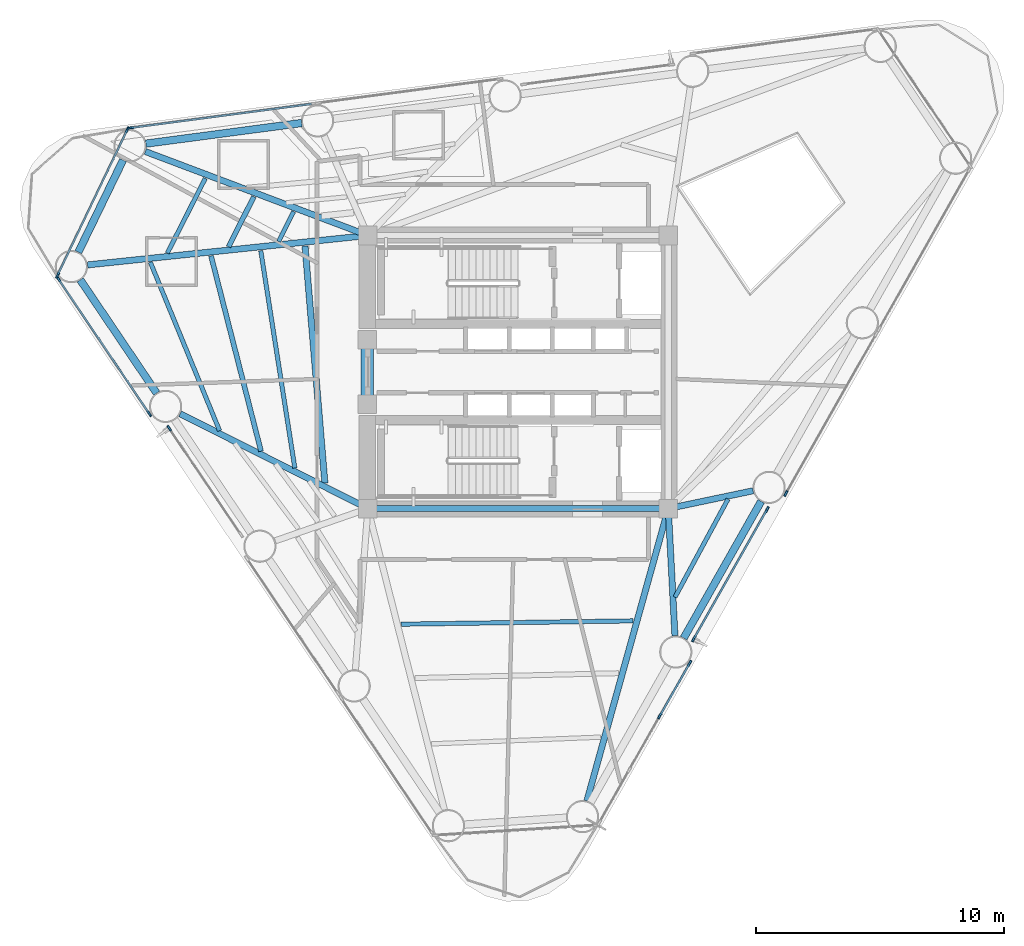
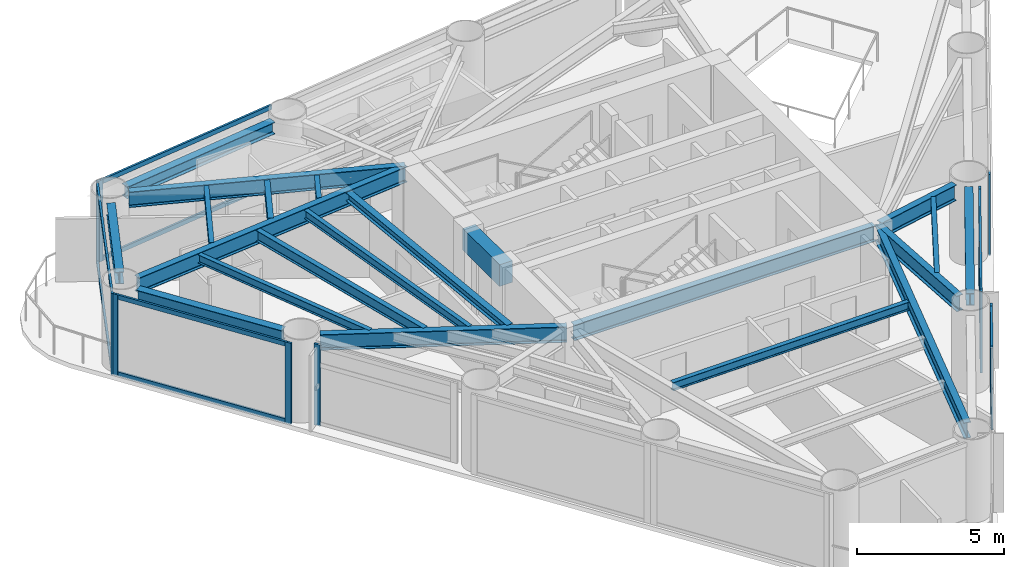
# One storey, part 2 of 9: 23 members, 21 beams, 7 elements without a shape of their own.
"""IFC4 building model written with IfcOpenShell, lengths in metres."""

from ifc_helpers import new_model, si_unit, direction, frame, origin, origin_2d, place, context, subcontext, project, spatial, rectangle, i_section, extrude, source, transform, mapped, material, layer, layer_set, material_profile, profile_set, type_object, element, aggregate, save


model = new_model("IFC4")

# Units and contexts
model_context = context("Model", 3, precision=1e-05, world=origin(), true_north=direction((0.0, 1.0)))
body_context = subcontext(model_context, "Body", "Model", "MODEL_VIEW")
ifc_project = project(units=[si_unit("LENGTHUNIT", "METRE"), si_unit("AREAUNIT", "SQUARE_METRE"), si_unit("VOLUMEUNIT", "CUBIC_METRE"), si_unit("PLANEANGLEUNIT", "RADIAN"), si_unit("MASSUNIT", "GRAM", prefix="KILO")], contexts=[model_context])

# Site, building, storey
site_placement = place(None, origin())
site = spatial("IfcSite", under=ifc_project, at=site_placement, CompositionType="ELEMENT")
building_placement = place(site_placement, origin())
building = spatial("IfcBuilding", under=site, at=building_placement, Name="Yunling Apex Tower", CompositionType="ELEMENT")
storey_placement = place(building_placement, frame((0.0, 0.0, 169.10009765625)))
storey = spatial("IfcBuildingStorey", under=building, at=storey_placement, Name="L41", CompositionType="ELEMENT", Elevation=169.10009765625)

# Beams
ifc_material_1 = material(Name="Concrete C50", Category="concrete")
ifc_material_profile_1 = material_profile(ifc_material_1, rectangle(XDim=0.5, YDim=0.89990234375, at=origin_2d()))
ifc_profile_set_1 = profile_set([ifc_material_profile_1], Name="Concrete C50")
beam_type_1 = type_object("IfcBeamType", Name="BC-CPL-2", PredefinedType="BEAM", material=ifc_profile_set_1)
shared_shape_1 = source(origin(), body_context, "Body", "SweptSolid", [
    extrude(rectangle(XDim=0.5, YDim=0.89990234375, at=origin_2d()), origin(), (0.0, 0.0, 1.0), 2.5),
])
beam_1_placement = place(storey_placement, frame((-6.074951171875, -1.25, 2.81982421875), z_axis=(0.0, 1.0, 0.0), x_axis=(-1.0, 0.0, 0.0)))
element("IfcBeam", 1, at=beam_1_placement, inside=storey, type_object=beam_type_1, Name="L41 Core West Portal Coupling Beam", PredefinedType="BEAM", context=body_context, shape_type="MappedRepresentation", body=[
    mapped(shared_shape_1, transform((0.0, 0.0, 0.0), scale=1.0)),
])
ifc_material_2 = material(Name="Steel Q355B", Category="steel")
ifc_material_profile_2 = material_profile(ifc_material_2, i_section(OverallWidth=0.25, OverallDepth=0.64990234375, WebThickness=0.011962890625, FlangeThickness=0.02001953125, FilletRadius=0.02392578125, at=origin_2d()))
ifc_profile_set_2 = profile_set([ifc_material_profile_2], Name="Steel Q355B")
beam_type_2 = type_object("IfcBeamType", Name="BG-PRI-4", PredefinedType="USERDEFINED", material=ifc_profile_set_2)
shared_shape_2 = source(origin(), body_context, "Body", "SweptSolid", [
    extrude(i_section(OverallWidth=0.25, OverallDepth=0.64990234375, WebThickness=0.011962890625, FlangeThickness=0.02001953125, FilletRadius=0.02392578125, at=origin_2d()), origin(), (0.0, 0.0, 1.0), 11.7998046875),
])
beam_2_placement = place(storey_placement, frame((-5.89990234375, -5.5, 2.94482421875), z_axis=(1.0, 0.0, 0.0), x_axis=(0.0, 1.0, 0.0)))
element("IfcBeam", 2, at=beam_2_placement, inside=storey, type_object=beam_type_2, Name="L41 Core Ring Tie Beam 1", ObjectType="GIRDER", PredefinedType="USERDEFINED", context=body_context, shape_type="MappedRepresentation", body=[
    mapped(shared_shape_2, transform((0.0, 0.0, 0.0), scale=1.0)),
])
ifc_material_profile_3 = material_profile(ifc_material_2, i_section(OverallWidth=0.300048828125, OverallDepth=0.489990234375, WebThickness=0.010986328125, FlangeThickness=0.01806640625, FilletRadius=0.02197265625, at=origin_2d()))
ifc_profile_set_3 = profile_set([ifc_material_profile_3], Name="Steel Q355B")
beam_type_3 = type_object("IfcBeamType", Name="BP-SPN-2", PredefinedType="SPANDREL", material=ifc_profile_set_3)
shared_shape_3 = source(origin(), body_context, "Body", "SweptSolid", [
    extrude(i_section(OverallWidth=0.300048828125, OverallDepth=0.489990234375, WebThickness=0.010986328125, FlangeThickness=0.01806640625, FilletRadius=0.02197265625, at=origin_2d()), origin(), (0.0, 0.0, 1.0), 6.33251953125),
])
for number, where, z_axis, x_axis, name in (
    (3, (6.66943359375, -10.717529296875, 3.02490234375), (0.493030081742, 0.870012263418, 0.0), (-0.870012263418, 0.493030081742, 0.0), "L41 Perimeter Spandrel Beam 2"),
    (4, (-8.715576171875, 10.02978515625, 3.02490234375), (-0.991351373324, -0.131234349957, 0.0), (0.131234349957, -0.991351373324, 0.0), "L41 Perimeter Spandrel Beam 9"),
):
    element("IfcBeam", number, at=place(storey_placement, frame(where, z_axis=z_axis, x_axis=x_axis)), inside=storey, type_object=beam_type_3, Name=name, PredefinedType="SPANDREL", context=body_context, shape_type="MappedRepresentation", body=[
        mapped(shared_shape_3, transform((0.0, 0.0, 0.0), scale=1.0)),
    ])
shared_shape_4 = source(origin(), body_context, "Body", "SweptSolid", [
    extrude(i_section(OverallWidth=0.300048828125, OverallDepth=0.489990234375, WebThickness=0.010986328125, FlangeThickness=0.01806640625, FilletRadius=0.02197265625, at=origin_2d()), origin(), (0.0, 0.0, 1.0), 4.1240234375),
])
beam_3_placement = place(storey_placement, frame((-15.9130859375, 8.534912109375, 3.02490234375), z_axis=(-0.436645295051, -0.899633751206, 0.0), x_axis=(0.899633751206, -0.436645295051, 0.0)))
element("IfcBeam", 5, at=beam_3_placement, inside=storey, type_object=beam_type_3, Name="L41 Perimeter Spandrel Beam 10", PredefinedType="SPANDREL", context=body_context, shape_type="MappedRepresentation", body=[
    mapped(shared_shape_4, transform((0.0, 0.0, 0.0), scale=1.0)),
])
shared_shape_5 = source(origin(), body_context, "Body", "SweptSolid", [
    extrude(i_section(OverallWidth=0.300048828125, OverallDepth=0.489990234375, WebThickness=0.010986328125, FlangeThickness=0.01806640625, FilletRadius=0.02197265625, at=origin_2d()), origin(), (0.0, 0.0, 1.0), 5.5029296875),
])
beam_4_placement = place(storey_placement, frame((-17.635009765625, 3.711181640625, 3.02490234375), z_axis=(0.559227477119, -0.829014251286, 0.0), x_axis=(0.829014251286, 0.559227477119, 0.0)))
element("IfcBeam", 6, at=beam_4_placement, inside=storey, type_object=beam_type_3, Name="L41 Perimeter Spandrel Beam 11", PredefinedType="SPANDREL", context=body_context, shape_type="MappedRepresentation", body=[
    mapped(shared_shape_5, transform((0.0, 0.0, 0.0), scale=1.0)),
])
shared_shape_6 = source(origin(), body_context, "Body", "SweptSolid", [
    extrude(i_section(OverallWidth=0.25, OverallDepth=0.64990234375, WebThickness=0.011962890625, FlangeThickness=0.02001953125, FilletRadius=0.02392578125, at=origin_2d()), origin(), (0.0, 0.0, 1.0), 12.141845703125),
])
beam_5_placement = place(storey_placement, frame((2.771240234375, -17.27392578125, 2.94482421875), z_axis=(0.268272262363, 0.9633431337, 0.0), x_axis=(-0.9633431337, 0.268272262363, 0.0)))
element("IfcBeam", 7, at=beam_5_placement, inside=storey, type_object=beam_type_2, Name="L41 Radial Primary Girder R01", ObjectType="GIRDER", PredefinedType="USERDEFINED", context=body_context, shape_type="MappedRepresentation", body=[
    mapped(shared_shape_6, transform((0.0, 0.0, 0.0), scale=1.0)),
])
shared_shape_7 = source(origin(), body_context, "Body", "SweptSolid", [
    extrude(i_section(OverallWidth=0.25, OverallDepth=0.64990234375, WebThickness=0.011962890625, FlangeThickness=0.02001953125, FilletRadius=0.02392578125, at=origin_2d()), origin(), (0.0, 0.0, 1.0), 5.0478515625),
])
beam_6_placement = place(storey_placement, frame((6.317626953125, -10.620849609375, 2.94482421875), z_axis=(-0.052185671931, 0.998637399482, 0.0), x_axis=(-0.998637399482, -0.052185671931, 0.0)))
element("IfcBeam", 8, at=beam_6_placement, inside=storey, type_object=beam_type_2, Name="L41 Radial Primary Girder R02", ObjectType="GIRDER", PredefinedType="USERDEFINED", context=body_context, shape_type="MappedRepresentation", body=[
    mapped(shared_shape_7, transform((0.0, 0.0, 0.0), scale=1.0)),
])
shared_shape_8 = source(origin(), body_context, "Body", "SweptSolid", [
    extrude(i_section(OverallWidth=0.25, OverallDepth=0.64990234375, WebThickness=0.011962890625, FlangeThickness=0.02001953125, FilletRadius=0.02392578125, at=origin_2d()), origin(), (0.0, 0.0, 1.0), 3.409423828125),
])
beam_7_placement = place(storey_placement, frame((9.465087890625, -4.783203125, 2.94482421875), z_axis=(-0.978668904593, -0.205443849219, 0.0), x_axis=(0.205443849219, -0.978668904593, 0.0)))
element("IfcBeam", 9, at=beam_7_placement, inside=storey, type_object=beam_type_2, Name="L41 Radial Primary Girder R03", ObjectType="GIRDER", PredefinedType="USERDEFINED", context=body_context, shape_type="MappedRepresentation", body=[
    mapped(shared_shape_8, transform((0.0, 0.0, 0.0), scale=1.0)),
])
shared_shape_9 = source(origin(), body_context, "Body", "SweptSolid", [
    extrude(i_section(OverallWidth=0.25, OverallDepth=0.64990234375, WebThickness=0.011962890625, FlangeThickness=0.02001953125, FilletRadius=0.02392578125, at=origin_2d()), origin(), (0.0, 0.0, 1.0), 9.502685546875),
])
beam_8_placement = place(storey_placement, frame((-15.01611328125, 8.882080078125, 2.94482421875), z_axis=(0.935649587533, -0.352930374648, 0.0), x_axis=(0.352930374648, 0.935649587533, 0.0)))
element("IfcBeam", 10, at=beam_8_placement, inside=storey, type_object=beam_type_2, Name="L41 Radial Primary Girder R10", ObjectType="GIRDER", PredefinedType="USERDEFINED", context=body_context, shape_type="MappedRepresentation", body=[
    mapped(shared_shape_9, transform((0.0, 0.0, 0.0), scale=1.0)),
])
shared_shape_10 = source(origin(), body_context, "Body", "SweptSolid", [
    extrude(i_section(OverallWidth=0.25, OverallDepth=0.64990234375, WebThickness=0.011962890625, FlangeThickness=0.02001953125, FilletRadius=0.02392578125, at=origin_2d()), origin(), (0.0, 0.0, 1.0), 11.272705078125),
])
beam_9_placement = place(storey_placement, frame((-17.340576171875, 4.31396484375, 2.94482421875), z_axis=(0.99452726712, 0.104477341825, 0.0), x_axis=(-0.104477341825, 0.99452726712, 0.0)))
element("IfcBeam", 11, at=beam_9_placement, inside=storey, type_object=beam_type_2, Name="L41 Radial Primary Girder R11", ObjectType="GIRDER", PredefinedType="USERDEFINED", context=body_context, shape_type="MappedRepresentation", body=[
    mapped(shared_shape_10, transform((0.0, 0.0, 0.0), scale=1.0)),
])
shared_shape_11 = source(origin(), body_context, "Body", "SweptSolid", [
    extrude(i_section(OverallWidth=0.25, OverallDepth=0.64990234375, WebThickness=0.011962890625, FlangeThickness=0.02001953125, FilletRadius=0.02392578125, at=origin_2d()), origin(), (0.0, 0.0, 1.0), 8.389892578125),
])
beam_10_placement = place(storey_placement, frame((-13.610107421875, -1.681396484375, 2.94482421875), z_axis=(0.892603997322, -0.450841550841, 0.0), x_axis=(0.450841550841, 0.892603997322, 0.0)))
element("IfcBeam", 12, at=beam_10_placement, inside=storey, type_object=beam_type_2, Name="L41 Radial Primary Girder R12", ObjectType="GIRDER", PredefinedType="USERDEFINED", context=body_context, shape_type="MappedRepresentation", body=[
    mapped(shared_shape_11, transform((0.0, 0.0, 0.0), scale=1.0)),
])
ifc_material_profile_4 = material_profile(ifc_material_2, i_section(OverallWidth=0.175048828125, OverallDepth=0.35009765625, WebThickness=0.007080078125, FlangeThickness=0.010986328125, FilletRadius=0.013916015625, at=origin_2d()))
ifc_profile_set_4 = profile_set([ifc_material_profile_4], Name="Steel Q355B")
beam_type_4 = type_object("IfcBeamType", Name="BJ-JST-1", PredefinedType="JOIST", material=ifc_profile_set_4)
shared_shape_12 = source(origin(), body_context, "Body", "SweptSolid", [
    extrude(i_section(OverallWidth=0.175048828125, OverallDepth=0.35009765625, WebThickness=0.007080078125, FlangeThickness=0.010986328125, FilletRadius=0.013916015625, at=origin_2d()), origin(), (0.0, 0.0, 1.0), 4.488525390625),
])
beam_11_placement = place(storey_placement, frame((6.31982421875, -9.068603515625, 3.094970703125), z_axis=(0.475594391265, 0.87966469464, 0.0), x_axis=(-0.87966469464, 0.475594391265, 0.0)))
element("IfcBeam", 13, at=beam_11_placement, inside=storey, type_object=beam_type_4, Name="L41 Composite Floor Joist BJ1-2", PredefinedType="JOIST", context=body_context, shape_type="MappedRepresentation", body=[
    mapped(shared_shape_12, transform((0.0, 0.0, 0.0), scale=1.0)),
])
ifc_material_profile_5 = material_profile(ifc_material_2, i_section(OverallWidth=0.199951171875, OverallDepth=0.449951171875, WebThickness=0.009033203125, FlangeThickness=0.013916015625, FilletRadius=0.01806640625, at=origin_2d()))
ifc_profile_set_5 = profile_set([ifc_material_profile_5], Name="Steel Q355B")
beam_type_5 = type_object("IfcBeamType", Name="BS-SEC-3", PredefinedType="BEAM", material=ifc_profile_set_5)
shared_shape_13 = source(origin(), body_context, "Body", "SweptSolid", [
    extrude(i_section(OverallWidth=0.199951171875, OverallDepth=0.449951171875, WebThickness=0.009033203125, FlangeThickness=0.013916015625, FilletRadius=0.01806640625, at=origin_2d()), origin(), (0.0, 0.0, 1.0), 2.260498046875),
])
beam_12_placement = place(storey_placement, frame((-10.642578125, 7.0625, 3.044921875), z_axis=(-0.451356210078, -0.892343864003, 0.0), x_axis=(0.892343864003, -0.451356210078, 0.0)))
element("IfcBeam", 14, at=beam_12_placement, inside=storey, type_object=beam_type_5, Name="L41 Composite Floor Beam BS-10", PredefinedType="BEAM", context=body_context, shape_type="MappedRepresentation", body=[
    mapped(shared_shape_13, transform((0.0, 0.0, 0.0), scale=1.0)),
])
shared_shape_14 = source(origin(), body_context, "Body", "SweptSolid", [
    extrude(i_section(OverallWidth=0.175048828125, OverallDepth=0.35009765625, WebThickness=0.007080078125, FlangeThickness=0.010986328125, FilletRadius=0.013916015625, at=origin_2d()), origin(), (0.0, 0.0, 1.0), 3.380126953125),
])
beam_13_placement = place(storey_placement, frame((-12.59912109375, 7.80029296875, 3.094970703125), z_axis=(-0.452665854376, -0.891680225351, 0.0), x_axis=(0.891680225351, -0.452665854376, 0.0)))
element("IfcBeam", 15, at=beam_13_placement, inside=storey, type_object=beam_type_4, Name="L41 Composite Floor Joist BJ1-10", PredefinedType="JOIST", context=body_context, shape_type="MappedRepresentation", body=[
    mapped(shared_shape_14, transform((0.0, 0.0, 0.0), scale=1.0)),
])
shared_shape_15 = source(origin(), body_context, "Body", "SweptSolid", [
    extrude(i_section(OverallWidth=0.175048828125, OverallDepth=0.35009765625, WebThickness=0.007080078125, FlangeThickness=0.010986328125, FilletRadius=0.013916015625, at=origin_2d()), origin(), (0.0, 0.0, 1.0), 1.34375),
])
beam_14_placement = place(storey_placement, frame((-9.0419921875, 6.45849609375, 3.094970703125), z_axis=(-0.448956972961, -0.893553376374, 0.0), x_axis=(0.893553376374, -0.448956972961, 0.0)))
element("IfcBeam", 16, at=beam_14_placement, inside=storey, type_object=beam_type_4, Name="L41 Composite Floor Joist BJ3-10", PredefinedType="JOIST", context=body_context, shape_type="MappedRepresentation", body=[
    mapped(shared_shape_15, transform((0.0, 0.0, 0.0), scale=1.0)),
])
shared_shape_16 = source(origin(), body_context, "Body", "SweptSolid", [
    extrude(i_section(OverallWidth=0.199951171875, OverallDepth=0.449951171875, WebThickness=0.009033203125, FlangeThickness=0.013916015625, FilletRadius=0.01806640625, at=origin_2d()), origin(), (0.0, 0.0, 1.0), 8.121337890625),
])
beam_15_placement = place(storey_placement, frame((-12.3681640625, 4.677001953125, 3.044921875), z_axis=(0.247914612688, -0.968781887122, 0.0), x_axis=(0.968781887122, 0.247914612688, 0.0)))
element("IfcBeam", 17, at=beam_15_placement, inside=storey, type_object=beam_type_5, Name="L41 Composite Floor Beam BS-11", PredefinedType="BEAM", context=body_context, shape_type="MappedRepresentation", body=[
    mapped(shared_shape_16, transform((0.0, 0.0, 0.0), scale=1.0)),
])
shared_shape_17 = source(origin(), body_context, "Body", "SweptSolid", [
    extrude(i_section(OverallWidth=0.175048828125, OverallDepth=0.35009765625, WebThickness=0.007080078125, FlangeThickness=0.010986328125, FilletRadius=0.013916015625, at=origin_2d()), origin(), (0.0, 0.0, 1.0), 7.34130859375),
])
beam_16_placement = place(storey_placement, frame((-14.8134765625, 4.425048828125, 3.094970703125), z_axis=(0.380043851262, -0.924968470337, 0.0), x_axis=(0.924968470337, 0.380043851262, 0.0)))
element("IfcBeam", 18, at=beam_16_placement, inside=storey, type_object=beam_type_4, Name="L41 Composite Floor Joist BJ1-11", PredefinedType="JOIST", context=body_context, shape_type="MappedRepresentation", body=[
    mapped(shared_shape_17, transform((0.0, 0.0, 0.0), scale=1.0)),
])
shared_shape_18 = source(origin(), body_context, "Body", "SweptSolid", [
    extrude(i_section(OverallWidth=0.175048828125, OverallDepth=0.35009765625, WebThickness=0.007080078125, FlangeThickness=0.010986328125, FilletRadius=0.013916015625, at=origin_2d()), origin(), (0.0, 0.0, 1.0), 8.861328125),
])
beam_17_placement = place(storey_placement, frame((-10.364990234375, 4.885986328125, 3.094970703125), z_axis=(0.154946679134, -0.987922834348, 0.0), x_axis=(0.987922834348, 0.154946679134, 0.0)))
element("IfcBeam", 19, at=beam_17_placement, inside=storey, type_object=beam_type_4, Name="L41 Composite Floor Joist BJ3-11", PredefinedType="JOIST", context=body_context, shape_type="MappedRepresentation", body=[
    mapped(shared_shape_18, transform((0.0, 0.0, 0.0), scale=1.0)),
])
ifc_material_profile_6 = material_profile(ifc_material_2, i_section(OverallWidth=0.25, OverallDepth=0.340087890625, WebThickness=0.009033203125, FlangeThickness=0.013916015625, FilletRadius=0.01806640625, at=origin_2d()))
ifc_profile_set_6 = profile_set([ifc_material_profile_6], Name="Steel Q355B")
beam_type_6 = type_object("IfcBeamType", Name="BJ-JST-2", PredefinedType="JOIST", material=ifc_profile_set_6)
shared_shape_19 = source(origin(), body_context, "Body", "SweptSolid", [
    extrude(i_section(OverallWidth=0.25, OverallDepth=0.340087890625, WebThickness=0.009033203125, FlangeThickness=0.013916015625, FilletRadius=0.01806640625, at=origin_2d()), origin(), (0.0, 0.0, 1.0), 9.578857421875),
])
beam_18_placement = place(storey_placement, frame((-8.582763671875, 5.072998046875, 3.099853515625), z_axis=(0.083572791263, -0.996501675142, 0.0), x_axis=(0.996501675142, 0.083572791263, 0.0)))
element("IfcBeam", 20, at=beam_18_placement, inside=storey, type_object=beam_type_6, Name="L41 Composite Floor Joist BJ2-11", PredefinedType="JOIST", context=body_context, shape_type="MappedRepresentation", body=[
    mapped(shared_shape_19, transform((0.0, 0.0, 0.0), scale=1.0)),
])
shared_shape_20 = source(origin(), body_context, "Body", "SweptSolid", [
    extrude(i_section(OverallWidth=0.175048828125, OverallDepth=0.35009765625, WebThickness=0.007080078125, FlangeThickness=0.010986328125, FilletRadius=0.013916015625, at=origin_2d()), origin(), (0.0, 0.0, 1.0), 9.337890625),
])
beam_19_placement = place(storey_placement, frame((-4.706298828125, -10.157958984375, 3.094970703125), z_axis=(0.99989735504, 0.014327574275, 0.0), x_axis=(-0.014327574275, 0.99989735504, 0.0)))
element("IfcBeam", 21, at=beam_19_placement, inside=storey, type_object=beam_type_4, Name="L41 Composite Floor Joist BJ3-15", PredefinedType="JOIST", context=body_context, shape_type="MappedRepresentation", body=[
    mapped(shared_shape_20, transform((0.0, 0.0, 0.0), scale=1.0)),
])

# Curtain wall, members
ifc_material_3 = material(Name="Bronze anodised aluminium", Category="aluminium")
ifc_layer = layer(ifc_material_3, 0.239990234375)
ifc_layer_set = layer_set([ifc_layer], Name="Bronze anodised aluminium")
curtain_wall_type = type_object("IfcCurtainWallType", Name="CW-SYS-3", PredefinedType="NOTDEFINED", material=ifc_layer_set)
curtain_wall_1_placement = place(storey_placement, origin())
curtain_wall_1 = element("IfcCurtainWall", 22, at=curtain_wall_1_placement, inside=storey, type_object=curtain_wall_type, Name="CW-L41-F1-B1", PredefinedType="NOTDEFINED")
ifc_material_profile_7 = material_profile(ifc_material_3, rectangle(XDim=0.080078125, YDim=0.239990234375, at=origin_2d()))
ifc_profile_set_7 = profile_set([ifc_material_profile_7], Name="Bronze anodised aluminium")
member_type_1 = type_object("IfcMemberType", Name="CW-MUL-3", PredefinedType="MULLION", material=ifc_profile_set_7)
shared_shape_21 = source(origin(), body_context, "Body", "SweptSolid", [
    extrude(rectangle(XDim=0.080078125, YDim=0.239990234375, at=origin_2d()), origin(), (0.0, 0.0, 1.0), 3.369873046875),
])
member_1_placement = place(storey_placement, frame((5.7041015625, -13.861083984375, -0.050048828125), z_axis=(0.0, 0.0, 1.0), x_axis=(-0.870006087438, 0.493040979859, 0.0)))
member_1 = element("IfcMember", 23, at=member_1_placement, type_object=member_type_1, Name="CW-SYS-3 mullion 3", PredefinedType="MULLION", context=body_context, shape_type="MappedRepresentation", body=[
    mapped(shared_shape_21, transform((0.0, 0.0, 0.0), scale=1.0)),
])
member_2_placement = place(storey_placement, frame((6.910400390625, -11.732421875, -0.050048828125), z_axis=(0.0, 0.0, 1.0), x_axis=(-0.870006087438, 0.493040979859, 0.0)))
member_2 = element("IfcMember", 24, at=member_2_placement, type_object=member_type_1, Name="CW-SYS-3 mullion 4", PredefinedType="MULLION", context=body_context, shape_type="MappedRepresentation", body=[
    mapped(shared_shape_21, transform((0.0, 0.0, 0.0), scale=1.0)),
])

curtain_wall_2_placement = place(storey_placement, origin())
curtain_wall_2 = element("IfcCurtainWall", 25, at=curtain_wall_2_placement, inside=storey, type_object=curtain_wall_type, Name="CW-L41-F1-B2", PredefinedType="NOTDEFINED")
member_3_placement = place(storey_placement, frame((7.0732421875, -10.755615234375, -0.050048828125), z_axis=(0.0, 0.0, 1.0), x_axis=(-0.87000266867, 0.493047012471, 0.0)))
member_3 = element("IfcMember", 26, at=member_3_placement, type_object=member_type_1, Name="CW-SYS-3 mullion 1", PredefinedType="MULLION", context=body_context, shape_type="MappedRepresentation", body=[
    mapped(shared_shape_21, transform((0.0, 0.0, 0.0), scale=1.0)),
])
member_4_placement = place(storey_placement, frame((10.03173828125, -5.53515625, -0.050048828125), z_axis=(0.0, 0.0, 1.0), x_axis=(-0.87000266867, 0.493047012471, 0.0)))
member_4 = element("IfcMember", 27, at=member_4_placement, type_object=member_type_1, Name="CW-SYS-3 mullion 2", PredefinedType="MULLION", context=body_context, shape_type="MappedRepresentation", body=[
    mapped(shared_shape_21, transform((0.0, 0.0, 0.0), scale=1.0)),
])

# Curtain wall, member
curtain_wall_3_placement = place(storey_placement, origin())
curtain_wall_3 = element("IfcCurtainWall", 28, at=curtain_wall_3_placement, inside=storey, type_object=curtain_wall_type, Name="CW-L41-F1-B3", PredefinedType="NOTDEFINED")
member_5_placement = place(storey_placement, frame((10.785888671875, -4.8935546875, -0.050048828125), z_axis=(0.0, 0.0, 1.0), x_axis=(-0.870009345679, 0.493035230416, 0.0)))
member_5 = element("IfcMember", 29, at=member_5_placement, type_object=member_type_1, Name="CW-SYS-3 mullion 1", PredefinedType="MULLION", context=body_context, shape_type="MappedRepresentation", body=[
    mapped(shared_shape_21, transform((0.0, 0.0, 0.0), scale=1.0)),
])
aggregate(curtain_wall_3, [member_5])

curtain_wall_4_placement = place(storey_placement, origin())
curtain_wall_4 = element("IfcCurtainWall", 30, at=curtain_wall_4_placement, inside=storey, type_object=curtain_wall_type, Name="CW-L41-F2-B4", PredefinedType="NOTDEFINED")
member_6_placement = place(storey_placement, frame((-15.60595703125, 9.833740234375, -0.050048828125), z_axis=(0.0, 0.0, 1.0), x_axis=(0.131222473138, -0.991352945496, 0.0)))
member_6 = element("IfcMember", 31, at=member_6_placement, type_object=member_type_1, Name="CW-SYS-3 mullion 2", PredefinedType="MULLION", context=body_context, shape_type="MappedRepresentation", body=[
    mapped(shared_shape_21, transform((0.0, 0.0, 0.0), scale=1.0)),
])

# Curtain wall, members
curtain_wall_5_placement = place(storey_placement, origin())
curtain_wall_5 = element("IfcCurtainWall", 32, at=curtain_wall_5_placement, inside=storey, type_object=curtain_wall_type, Name="CW-L41-CRN2", PredefinedType="NOTDEFINED")
member_7_placement = place(storey_placement, frame((-15.73974609375, 9.76220703125, -0.050048828125), z_axis=(0.0, 0.0, 1.0), x_axis=(0.901876554496, -0.431993843071, 0.0)))
member_7 = element("IfcMember", 33, at=member_7_placement, type_object=member_type_1, Name="CW-SYS-3 mullion 1", PredefinedType="MULLION", context=body_context, shape_type="MappedRepresentation", body=[
    mapped(shared_shape_21, transform((0.0, 0.0, 0.0), scale=1.0)),
])
member_8_placement = place(storey_placement, frame((-18.5498046875, 3.8955078125, -0.050048828125), z_axis=(0.0, 0.0, 1.0), x_axis=(0.901876554496, -0.431993843071, 0.0)))
member_8 = element("IfcMember", 34, at=member_8_placement, type_object=member_type_1, Name="CW-SYS-3 mullion 2", PredefinedType="MULLION", context=body_context, shape_type="MappedRepresentation", body=[
    mapped(shared_shape_21, transform((0.0, 0.0, 0.0), scale=1.0)),
])

curtain_wall_6_placement = place(storey_placement, origin())
curtain_wall_6 = element("IfcCurtainWall", 35, at=curtain_wall_6_placement, inside=storey, type_object=curtain_wall_type, Name="CW-L41-F3-B1", PredefinedType="NOTDEFINED")
member_9_placement = place(storey_placement, frame((-18.5166015625, 3.748779296875, -0.050048828125), z_axis=(0.0, 0.0, 1.0), x_axis=(0.829045302692, 0.559181442901, 0.0)))
member_9 = element("IfcMember", 36, at=member_9_placement, type_object=member_type_1, Name="CW-SYS-3 mullion 1", PredefinedType="MULLION", context=body_context, shape_type="MappedRepresentation", body=[
    mapped(shared_shape_21, transform((0.0, 0.0, 0.0), scale=1.0)),
])
member_10_placement = place(storey_placement, frame((-14.853271484375, -1.682373046875, -0.050048828125), z_axis=(0.0, 0.0, 1.0), x_axis=(0.829045302692, 0.559181442901, 0.0)))
member_10 = element("IfcMember", 37, at=member_10_placement, type_object=member_type_1, Name="CW-SYS-3 mullion 2", PredefinedType="MULLION", context=body_context, shape_type="MappedRepresentation", body=[
    mapped(shared_shape_21, transform((0.0, 0.0, 0.0), scale=1.0)),
])

# Curtain wall, member
curtain_wall_7_placement = place(storey_placement, origin())
curtain_wall_7 = element("IfcCurtainWall", 38, at=curtain_wall_7_placement, inside=storey, type_object=curtain_wall_type, Name="CW-L41-F3-B2", PredefinedType="NOTDEFINED")
member_11_placement = place(storey_placement, frame((-14.05126953125, -2.263427734375, -0.050048828125), z_axis=(0.0, 0.0, 1.0), x_axis=(0.829026137089, 0.559209856873, 0.0)))
member_11 = element("IfcMember", 39, at=member_11_placement, type_object=member_type_1, Name="CW-SYS-3 mullion 1", PredefinedType="MULLION", context=body_context, shape_type="MappedRepresentation", body=[
    mapped(shared_shape_21, transform((0.0, 0.0, 0.0), scale=1.0)),
])
aggregate(curtain_wall_7, [member_11])

# Member
ifc_material_profile_8 = material_profile(ifc_material_3, rectangle(XDim=0.080078125, YDim=0.18505859375, at=origin_2d()))
ifc_profile_set_8 = profile_set([ifc_material_profile_8], Name="Bronze anodised aluminium")
member_type_2 = type_object("IfcMemberType", Name="CW-TRN-3", PredefinedType="USERDEFINED", material=ifc_profile_set_8)
shared_shape_22 = source(origin(), body_context, "Body", "SweptSolid", [
    extrude(rectangle(XDim=0.080078125, YDim=0.18505859375, at=origin_2d()), origin(), (0.0, 0.0, 1.0), 2.374755859375),
])
member_12_placement = place(storey_placement, frame((5.721923828125, -13.829833984375, 0.039794921875), z_axis=(0.493035916127, 0.870008957085, 0.0), x_axis=(-0.870008957085, 0.493035916127, 0.0)))
member_12 = element("IfcMember", 40, at=member_12_placement, type_object=member_type_2, Name="CW-SYS-3 transom 3.1", ObjectType="TRANSOM", PredefinedType="USERDEFINED", context=body_context, shape_type="MappedRepresentation", body=[
    mapped(shared_shape_22, transform((0.0, 0.0, 0.0), scale=1.0)),
])

member_13_placement = place(storey_placement, frame((5.721923828125, -13.829833984375, 2.485107421875), z_axis=(0.493035916127, 0.870008957085, 0.0), x_axis=(-0.870008957085, 0.493035916127, 0.0)))
member_13 = element("IfcMember", 41, at=member_13_placement, type_object=member_type_2, Name="CW-SYS-3 transom 3.2", ObjectType="TRANSOM", PredefinedType="USERDEFINED", context=body_context, shape_type="MappedRepresentation", body=[
    mapped(shared_shape_22, transform((0.0, 0.0, 0.0), scale=1.0)),
])

member_14_placement = place(storey_placement, frame((5.721923828125, -13.829833984375, 3.22998046875), z_axis=(0.493035916127, 0.870008957085, 0.0), x_axis=(-0.870008957085, 0.493035916127, 0.0)))
member_14 = element("IfcMember", 42, at=member_14_placement, type_object=member_type_2, Name="CW-SYS-3 transom 3.3", ObjectType="TRANSOM", PredefinedType="USERDEFINED", context=body_context, shape_type="MappedRepresentation", body=[
    mapped(shared_shape_22, transform((0.0, 0.0, 0.0), scale=1.0)),
])

aggregate(curtain_wall_1, [member_1, member_2, member_12, member_13, member_14])

shared_shape_23 = source(origin(), body_context, "Body", "SweptSolid", [
    extrude(rectangle(XDim=0.080078125, YDim=0.18505859375, at=origin_2d()), origin(), (0.0, 0.0, 1.0), 5.9287109375),
])
member_15_placement = place(storey_placement, frame((7.0908203125, -10.724365234375, 0.039794921875), z_axis=(0.49304478118, 0.870003933182, 0.0), x_axis=(-0.870003933182, 0.49304478118, 0.0)))
member_15 = element("IfcMember", 43, at=member_15_placement, type_object=member_type_2, Name="CW-SYS-3 transom 1.1", ObjectType="TRANSOM", PredefinedType="USERDEFINED", context=body_context, shape_type="MappedRepresentation", body=[
    mapped(shared_shape_23, transform((0.0, 0.0, 0.0), scale=1.0)),
])

member_16_placement = place(storey_placement, frame((7.0908203125, -10.724365234375, 2.485107421875), z_axis=(0.49304478118, 0.870003933182, 0.0), x_axis=(-0.870003933182, 0.49304478118, 0.0)))
member_16 = element("IfcMember", 44, at=member_16_placement, type_object=member_type_2, Name="CW-SYS-3 transom 1.2", ObjectType="TRANSOM", PredefinedType="USERDEFINED", context=body_context, shape_type="MappedRepresentation", body=[
    mapped(shared_shape_23, transform((0.0, 0.0, 0.0), scale=1.0)),
])

member_17_placement = place(storey_placement, frame((7.0908203125, -10.724365234375, 3.22998046875), z_axis=(0.49304478118, 0.870003933182, 0.0), x_axis=(-0.870003933182, 0.49304478118, 0.0)))
member_17 = element("IfcMember", 45, at=member_17_placement, type_object=member_type_2, Name="CW-SYS-3 transom 1.3", ObjectType="TRANSOM", PredefinedType="USERDEFINED", context=body_context, shape_type="MappedRepresentation", body=[
    mapped(shared_shape_23, transform((0.0, 0.0, 0.0), scale=1.0)),
])

aggregate(curtain_wall_2, [member_3, member_4, member_15, member_16, member_17])

shared_shape_24 = source(origin(), body_context, "Body", "SweptSolid", [
    extrude(rectangle(XDim=0.080078125, YDim=0.18505859375, at=origin_2d()), origin(), (0.0, 0.0, 1.0), 7.30859375),
])
member_18_placement = place(storey_placement, frame((-8.324951171875, 10.797607421875, 0.039794921875), z_axis=(-0.991354063091, -0.131214029714, 0.0), x_axis=(0.131214029714, -0.991354063091, 0.0)))
member_18 = element("IfcMember", 46, at=member_18_placement, type_object=member_type_2, Name="CW-SYS-3 transom 1.1", ObjectType="TRANSOM", PredefinedType="USERDEFINED", context=body_context, shape_type="MappedRepresentation", body=[
    mapped(shared_shape_24, transform((0.0, 0.0, 0.0), scale=1.0)),
])

member_19_placement = place(storey_placement, frame((-8.324951171875, 10.797607421875, 3.22998046875), z_axis=(-0.991354063091, -0.131214029714, 0.0), x_axis=(0.131214029714, -0.991354063091, 0.0)))
member_19 = element("IfcMember", 47, at=member_19_placement, type_object=member_type_2, Name="CW-SYS-3 transom 1.2", ObjectType="TRANSOM", PredefinedType="USERDEFINED", context=body_context, shape_type="MappedRepresentation", body=[
    mapped(shared_shape_24, transform((0.0, 0.0, 0.0), scale=1.0)),
])

aggregate(curtain_wall_4, [member_6, member_18, member_19])

shared_shape_25 = source(origin(), body_context, "Body", "SweptSolid", [
    extrude(rectangle(XDim=0.080078125, YDim=0.18505859375, at=origin_2d()), origin(), (0.0, 0.0, 1.0), 6.43310546875),
])
member_20_placement = place(storey_placement, frame((-15.755126953125, 9.729736328125, 0.039794921875), z_axis=(-0.431999289768, -0.901873945538, 0.0), x_axis=(0.901873945538, -0.431999289768, 0.0)))
member_20 = element("IfcMember", 48, at=member_20_placement, type_object=member_type_2, Name="CW-SYS-3 transom 1.1", ObjectType="TRANSOM", PredefinedType="USERDEFINED", context=body_context, shape_type="MappedRepresentation", body=[
    mapped(shared_shape_25, transform((0.0, 0.0, 0.0), scale=1.0)),
])

member_21_placement = place(storey_placement, frame((-15.755126953125, 9.729736328125, 3.22998046875), z_axis=(-0.431999289768, -0.901873945538, 0.0), x_axis=(0.901873945538, -0.431999289768, 0.0)))
member_21 = element("IfcMember", 49, at=member_21_placement, type_object=member_type_2, Name="CW-SYS-3 transom 1.2", ObjectType="TRANSOM", PredefinedType="USERDEFINED", context=body_context, shape_type="MappedRepresentation", body=[
    mapped(shared_shape_25, transform((0.0, 0.0, 0.0), scale=1.0)),
])

aggregate(curtain_wall_5, [member_7, member_8, member_20, member_21])

shared_shape_26 = source(origin(), body_context, "Body", "SweptSolid", [
    extrude(rectangle(XDim=0.080078125, YDim=0.18505859375, at=origin_2d()), origin(), (0.0, 0.0, 1.0), 6.479248046875),
])
member_22_placement = place(storey_placement, frame((-18.496337890625, 3.718994140625, 0.039794921875), z_axis=(0.559179012054, -0.829046942265, 0.0), x_axis=(0.829046942265, 0.559179012054, 0.0)))
member_22 = element("IfcMember", 50, at=member_22_placement, type_object=member_type_2, Name="CW-SYS-3 transom 1.1", ObjectType="TRANSOM", PredefinedType="USERDEFINED", context=body_context, shape_type="MappedRepresentation", body=[
    mapped(shared_shape_26, transform((0.0, 0.0, 0.0), scale=1.0)),
])

member_23_placement = place(storey_placement, frame((-18.496337890625, 3.718994140625, 3.22998046875), z_axis=(0.559179012054, -0.829046942265, 0.0), x_axis=(0.829046942265, 0.559179012054, 0.0)))
member_23 = element("IfcMember", 51, at=member_23_placement, type_object=member_type_2, Name="CW-SYS-3 transom 1.2", ObjectType="TRANSOM", PredefinedType="USERDEFINED", context=body_context, shape_type="MappedRepresentation", body=[
    mapped(shared_shape_26, transform((0.0, 0.0, 0.0), scale=1.0)),
])

aggregate(curtain_wall_6, [member_9, member_10, member_22, member_23])

save(model, "model.ifc")
